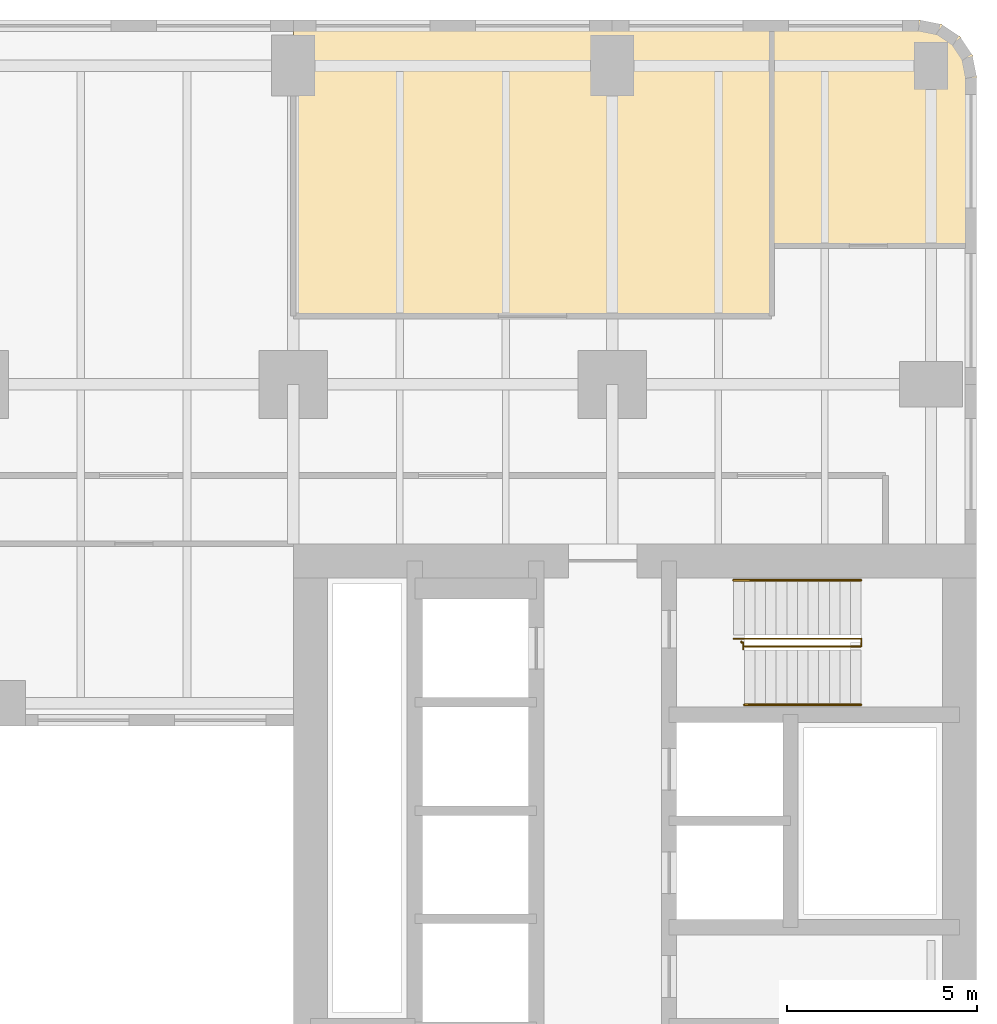
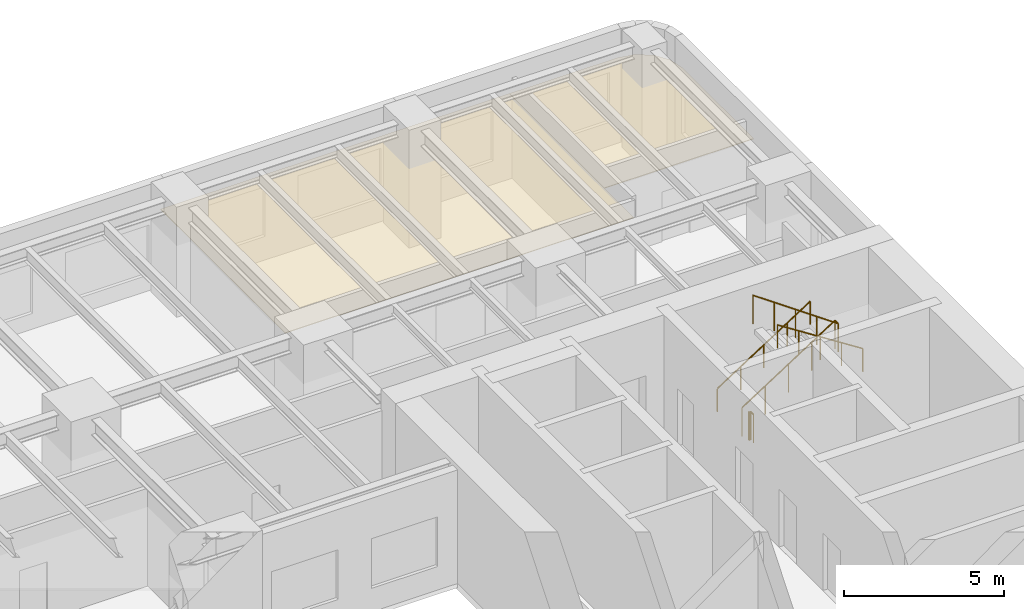
# One storey, part 14 of 14: 4 railings, 2 coverings.
"""IFC4 building model written with IfcOpenShell, lengths in metres."""

from ifc_helpers import new_model, si_unit, direction, frame, origin, origin_2d, place, context, subcontext, project, spatial, polyline, circle, outline, extrude, material, layer, layer_set, type_object, element, save


model = new_model("IFC4")

# Units and contexts
model_context = context("Model", 3, precision=1e-05, world=origin(), true_north=direction((0.0, 1.0)))
body_context = subcontext(model_context, "Body", "Model", "MODEL_VIEW")
ifc_project = project(units=[si_unit("LENGTHUNIT", "METRE"), si_unit("AREAUNIT", "SQUARE_METRE"), si_unit("VOLUMEUNIT", "CUBIC_METRE"), si_unit("PLANEANGLEUNIT", "RADIAN"), si_unit("MASSUNIT", "GRAM", prefix="KILO")], contexts=[model_context])

# Site, building, storey
site_placement = place(None, origin())
site = spatial("IfcSite", under=ifc_project, at=site_placement, CompositionType="ELEMENT")
building_placement = place(site_placement, origin())
building = spatial("IfcBuilding", under=site, at=building_placement, Name="Claustro Exchange Tower", CompositionType="ELEMENT")
storey_placement = place(building_placement, frame((0.0, 0.0, 72.89990234375)))
storey = spatial("IfcBuildingStorey", under=building, at=storey_placement, Name="L16", CompositionType="ELEMENT", Elevation=72.89990234375)

# Coverings
ifc_material_1 = material(Name="Gypsum board ceiling", Category="gypsum board")
ifc_layer = layer(ifc_material_1, 0.02490234375)
ifc_layer_set = layer_set([ifc_layer], Name="Gypsum board ceiling")
covering_type = type_object("IfcCoveringType", Name="CL2 plasterboard ceiling", PredefinedType="CEILING", material=ifc_layer_set)
covering_1_placement = place(storey_placement, frame((0.0, 0.0, 3.0)))
element("IfcCovering", 1, at=covering_1_placement, inside=storey, type_object=covering_type, Name="Ceiling CL2 L16-19", PredefinedType="CEILING", context=body_context, shape_type="SweptSolid", body=[
    extrude(outline(polyline([(46.199951171875, 51.60009765625), (33.60009765625, 51.60009765625), (33.60009765625, 43.800048828125), (46.199951171875, 43.800048828125), (46.199951171875, 51.60009765625)])), origin(), (0.0, 0.0, 1.0), 0.025146484375),
])
covering_2_placement = place(storey_placement, frame((0.0, 0.0, 3.0)))
element("IfcCovering", 2, at=covering_2_placement, inside=storey, type_object=covering_type, Name="Ceiling CL2 L16-20", PredefinedType="CEILING", context=body_context, shape_type="SweptSolid", body=[
    extrude(outline(polyline([(50.10009765625, 51.60009765625), (46.199951171875, 51.60009765625), (46.199951171875, 45.64990234375), (51.60009765625, 45.64990234375), (51.60009765625, 50.10009765625), (51.48583984375, 50.674072265625), (51.16064453125, 51.16064453125), (50.674072265625, 51.48583984375), (50.10009765625, 51.60009765625)])), origin(), (0.0, 0.0, 1.0), 0.025146484375),
])

# Railings
ifc_material_2 = material(Name="Steel balustrade, painted", Category="steel")
railing_type_1 = type_object("IfcRailingType", Name="GR2 1100 steel stair guard", PredefinedType="GUARDRAIL", material=ifc_material_2)
railing_1_placement = place(storey_placement, frame((45.199951171875, 35.300048828125, 0.18017578125)))
element("IfcRailing", 3, at=railing_1_placement, inside=storey, type_object=railing_type_1, Name="Stair well guard GR2 stair STEB L16", PredefinedType="GUARDRAIL", context=body_context, shape_type="SweptSolid", body=[
    extrude(circle(Radius=0.02392578125, at=origin_2d()), frame((0.0, 0.0, 1.076171875), z_axis=(0.84119634759, 0.0, 0.540729789082), x_axis=(0.0, 1.0, 0.0)), (0.0, 0.0, 1.0), 3.994384765625),
    extrude(circle(Radius=0.02392578125, at=origin_2d()), frame((3.360107421875, 0.0, 3.23583984375), z_axis=(0.0, -1.0, 0.0), x_axis=(1.0, 0.0, 0.0)), (0.0, 0.0, 1.0), 0.199951171875),
    extrude(circle(Radius=0.02392578125, at=origin_2d()), frame((3.360107421875, -0.199951171875, 3.23583984375), z_axis=(-0.8187499073, 0.0, 0.574150319426), x_axis=(0.0, -1.0, 0.0)), (0.0, 0.0, 1.0), 3.761962890625),
    extrude(circle(Radius=0.02099609375, at=origin_2d()), origin(), (0.0, 0.0, 1.0), 1.052001953125),
    extrude(circle(Radius=0.02099609375, at=origin_2d()), frame((0.840087890625, 0.0, 0.5400390625)), (0.0, 0.0, 1.0), 1.052001953125),
    extrude(circle(Radius=0.02099609375, at=origin_2d()), frame((1.68017578125, 0.0, 1.080078125)), (0.0, 0.0, 1.0), 1.052001953125),
    extrude(circle(Radius=0.02099609375, at=origin_2d()), frame((2.52001953125, 0.0, 1.619873046875)), (0.0, 0.0, 1.0), 1.052001953125),
    extrude(circle(Radius=0.02099609375, at=origin_2d()), frame((3.360107421875, 0.0, 2.159912109375)), (0.0, 0.0, 1.0), 1.052001953125),
    extrude(circle(Radius=0.02099609375, at=origin_2d()), frame((3.360107421875, -0.199951171875, 2.159912109375)), (0.0, 0.0, 1.0), 1.052001953125),
    extrude(circle(Radius=0.02099609375, at=origin_2d()), frame((2.590087890625, -0.199951171875, 2.699951171875)), (0.0, 0.0, 1.0), 1.052001953125),
    extrude(circle(Radius=0.02099609375, at=origin_2d()), frame((1.820068359375, -0.199951171875, 3.23974609375)), (0.0, 0.0, 1.0), 1.052001953125),
    extrude(circle(Radius=0.02099609375, at=origin_2d()), frame((1.050048828125, -0.199951171875, 3.77978515625)), (0.0, 0.0, 1.0), 1.052001953125),
    extrude(circle(Radius=0.02099609375, at=origin_2d()), frame((0.280029296875, -0.199951171875, 4.31982421875)), (0.0, 0.0, 1.0), 1.052001953125),
])
railing_2_placement = place(storey_placement, frame((45.39990234375, 35.22998046875, 0.0)))
element("IfcRailing", 4, at=railing_2_placement, inside=storey, type_object=railing_type_1, Name="Stair guard GR2 STEB L16", PredefinedType="GUARDRAIL", context=body_context, shape_type="SweptSolid", body=[
    extrude(circle(Radius=0.02392578125, at=origin_2d()), frame((0.0, 0.0, 1.076171875), z_axis=(0.0, -1.0, 0.0), x_axis=(1.0, 0.0, 0.0)), (0.0, 0.0, 1.0), 0.030029296875),
    extrude(circle(Radius=0.02392578125, at=origin_2d()), frame((0.0, -0.030029296875, 1.076171875), z_axis=(1.0, 0.0, 0.0), x_axis=(0.0, 1.0, 0.0)), (0.0, 0.0, 1.0), 0.05517578125),
    extrude(circle(Radius=0.02392578125, at=origin_2d()), frame((0.05517578125, -0.030029296875, 1.076171875), z_axis=(0.0, -1.0, 0.0), x_axis=(1.0, 0.0, 0.0)), (0.0, 0.0, 1.0), 0.179931640625),
    extrude(circle(Radius=0.02099609375, at=origin_2d()), origin(), (0.0, 0.0, 1.0), 1.052001953125),
    extrude(circle(Radius=0.02099609375, at=origin_2d()), frame((0.0, -0.030029296875, 0.0)), (0.0, 0.0, 1.0), 1.052001953125),
    extrude(circle(Radius=0.02099609375, at=origin_2d()), frame((0.05517578125, -0.030029296875, 0.0)), (0.0, 0.0, 1.0), 1.052001953125),
    extrude(circle(Radius=0.02099609375, at=origin_2d()), frame((0.05517578125, -0.2099609375, 0.0)), (0.0, 0.0, 1.0), 1.052001953125),
])
ifc_material_3 = material(Name="Stainless steel tube", Category="steel")
railing_type_2 = type_object("IfcRailingType", Name="HR1 900 stair handrail", PredefinedType="HANDRAIL", material=ifc_material_3)
railing_3_placement = place(storey_placement, frame((45.199951171875, 36.840087890625, 0.18017578125)))
element("IfcRailing", 5, at=railing_3_placement, inside=storey, type_object=railing_type_2, Name="Handrail HR1 stair STEB L16", PredefinedType="HANDRAIL", context=body_context, shape_type="SweptSolid", body=[
    extrude(circle(Radius=0.02392578125, at=origin_2d()), frame((0.0, 0.0, 0.8759765625), z_axis=(0.84119634759, 0.0, 0.540729789082), x_axis=(0.0, 1.0, 0.0)), (0.0, 0.0, 1.0), 3.994384765625),
    extrude(circle(Radius=0.02099609375, at=origin_2d()), origin(), (0.0, 0.0, 1.0), 0.851806640625),
    extrude(circle(Radius=0.02099609375, at=origin_2d()), frame((0.840087890625, 0.0, 0.5400390625)), (0.0, 0.0, 1.0), 0.851806640625),
    extrude(circle(Radius=0.02099609375, at=origin_2d()), frame((1.68017578125, 0.0, 1.080078125)), (0.0, 0.0, 1.0), 0.851806640625),
    extrude(circle(Radius=0.02099609375, at=origin_2d()), frame((2.52001953125, 0.0, 1.619873046875)), (0.0, 0.0, 1.0), 0.851806640625),
    extrude(circle(Radius=0.02099609375, at=origin_2d()), frame((3.360107421875, 0.0, 2.159912109375)), (0.0, 0.0, 1.0), 0.851806640625),
])
railing_4_placement = place(storey_placement, frame((48.56005859375, 33.56005859375, 2.52001953125)))
element("IfcRailing", 6, at=railing_4_placement, inside=storey, type_object=railing_type_2, Name="Handrail HR1 stair STEB L16", PredefinedType="HANDRAIL", context=body_context, shape_type="SweptSolid", body=[
    extrude(circle(Radius=0.02392578125, at=origin_2d()), frame((0.0, 0.0, 0.8759765625), z_axis=(-0.84118714077, 0.0, 0.540744111576), x_axis=(0.0, -1.0, 0.0)), (0.0, 0.0, 1.0), 3.66162109375),
    extrude(circle(Radius=0.02099609375, at=origin_2d()), origin(), (0.0, 0.0, 1.0), 0.851806640625),
    extrude(circle(Radius=0.02099609375, at=origin_2d()), frame((-0.77001953125, 0.0, 0.4951171875)), (0.0, 0.0, 1.0), 0.851806640625),
    extrude(circle(Radius=0.02099609375, at=origin_2d()), frame((-1.5400390625, 0.0, 0.989990234375)), (0.0, 0.0, 1.0), 0.851806640625),
    extrude(circle(Radius=0.02099609375, at=origin_2d()), frame((-2.31005859375, 0.0, 1.48486328125)), (0.0, 0.0, 1.0), 0.851806640625),
    extrude(circle(Radius=0.02099609375, at=origin_2d()), frame((-3.080078125, 0.0, 1.97998046875)), (0.0, 0.0, 1.0), 0.851806640625),
])

save(model, "model.ifc")
